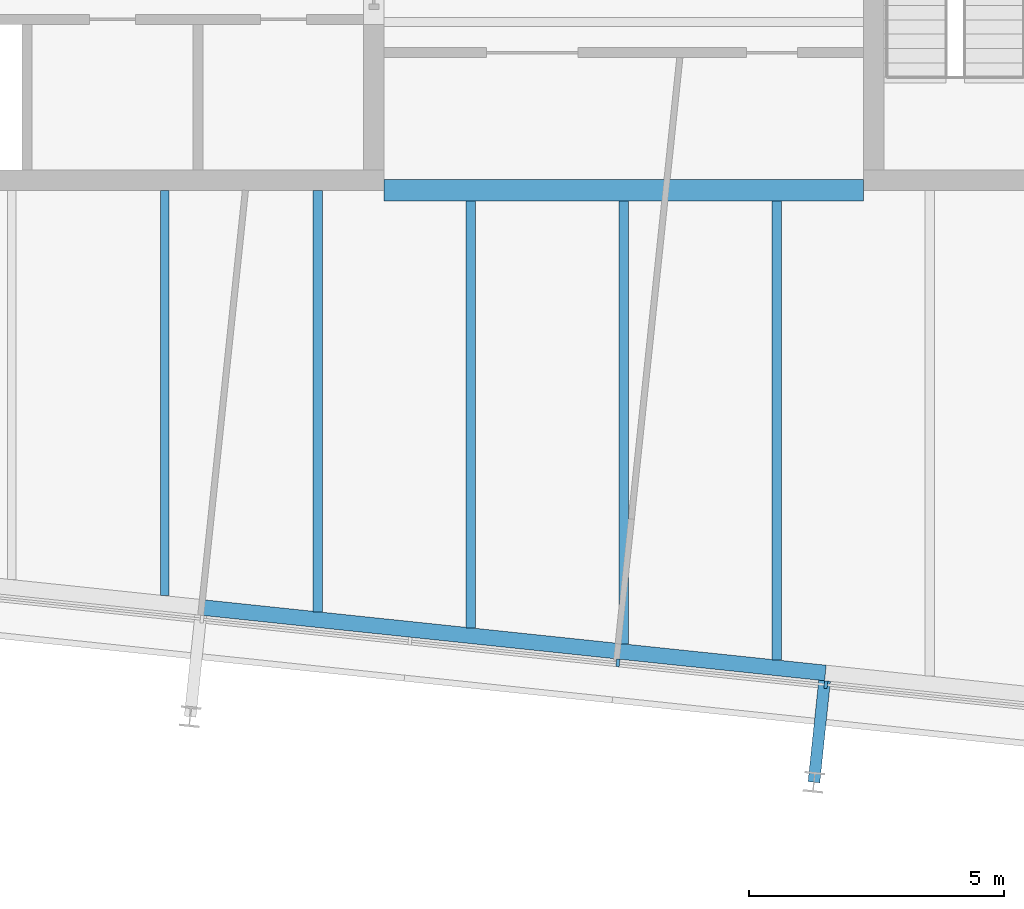
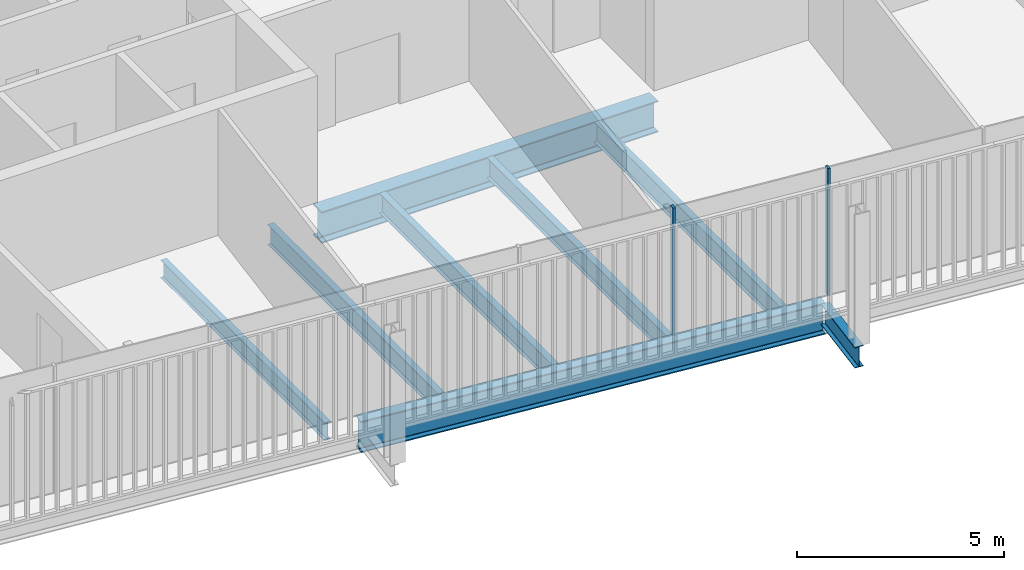
# One storey, part 5 of 20: 8 beams, 2 members, 1 element without a shape of its own.
"""IFC4 building model written with IfcOpenShell, lengths in metres."""

from ifc_helpers import new_model, si_unit, direction, frame, origin, origin_2d, place, context, subcontext, project, spatial, rectangle, i_section, extrude, material, layer, layer_set, material_profile, profile_set, type_object, element, aggregate, save


model = new_model("IFC4")

# Units and contexts
model_context = context("Model", 3, precision=1e-05, world=origin(), true_north=direction((0.0, 1.0)))
body_context = subcontext(model_context, "Body", "Model", "MODEL_VIEW")
ifc_project = project(units=[si_unit("LENGTHUNIT", "METRE"), si_unit("AREAUNIT", "SQUARE_METRE"), si_unit("VOLUMEUNIT", "CUBIC_METRE"), si_unit("PLANEANGLEUNIT", "RADIAN"), si_unit("MASSUNIT", "GRAM", prefix="KILO")], contexts=[model_context])

# Site, building, storey
site_placement = place(None, origin())
site = spatial("IfcSite", under=ifc_project, at=site_placement, CompositionType="ELEMENT")
building_placement = place(site_placement, origin())
building = spatial("IfcBuilding", under=site, at=building_placement, Name="Millrace Tower", CompositionType="ELEMENT")
storey_placement = place(building_placement, frame((0.0, 0.0, 287.699951171875)))
storey = spatial("IfcBuildingStorey", under=building, at=storey_placement, Name="L66", CompositionType="ELEMENT", Elevation=287.699951171875)

# Curtain wall, members
ifc_material_1 = material(Name="Aluminium and glass", Category="aluminium")
ifc_layer = layer(ifc_material_1, 0.14990234375)
ifc_layer_set = layer_set([ifc_layer], Name="Aluminium and glass")
curtain_wall_type = type_object("IfcCurtainWallType", Name="CW-1 office vision curtain wall", PredefinedType="NOTDEFINED", material=ifc_layer_set)
curtain_wall_placement = place(storey_placement, origin())
curtain_wall = element("IfcCurtainWall", 1, at=curtain_wall_placement, inside=storey, type_object=curtain_wall_type, Name="Curtain wall E-F02 L66", PredefinedType="NOTDEFINED")
ifc_material_2 = material(Name="Aluminium", Category="aluminium")
ifc_material_profile_1 = material_profile(ifc_material_2, rectangle(XDim=0.06494140625, YDim=0.14990234375, at=origin_2d()))
ifc_profile_set_1 = profile_set([ifc_material_profile_1], Name="Aluminium")
member_type = type_object("IfcMemberType", Name="CW-1 office vision curtain wall mullion", PredefinedType="MULLION", material=ifc_profile_set_1)
member_1_placement = place(storey_placement, frame((-0.11474609375, -18.567626953125, 0.14013671875), z_axis=(0.0, 0.0, 1.0), x_axis=(0.994521896217, -0.104528455196, 0.0)))
member_1 = element("IfcMember", 2, at=member_1_placement, type_object=member_type, Name="CW1 mullion E-F02.6", PredefinedType="MULLION", context=body_context, shape_type="SweptSolid", body=[
    extrude(rectangle(XDim=0.06494140625, YDim=0.14990234375, at=origin_2d()), origin(), (0.0, 0.0, 1.0), 3.760009765625),
])
member_2_placement = place(storey_placement, frame((3.962890625, -18.99609375, 0.14013671875), z_axis=(0.0, 0.0, 1.0), x_axis=(0.994521896217, -0.104528455196, 0.0)))
member_2 = element("IfcMember", 3, at=member_2_placement, type_object=member_type, Name="CW1 mullion E-F02.7", PredefinedType="MULLION", context=body_context, shape_type="SweptSolid", body=[
    extrude(rectangle(XDim=0.06494140625, YDim=0.14990234375, at=origin_2d()), origin(), (0.0, 0.0, 1.0), 3.760009765625),
])
aggregate(curtain_wall, [member_1, member_2])

# Beams
ifc_material_3 = material(Name="Steel ASTM A992 Grade 50", Category="steel")
ifc_material_profile_2 = material_profile(ifc_material_3, i_section(OverallWidth=0.1650390625, OverallDepth=0.52587890625, WebThickness=0.0087890625, FlangeThickness=0.011474609375, FilletRadius=0.0126953125, at=origin_2d()))
ifc_profile_set_2 = profile_set([ifc_material_profile_2], Name="Steel ASTM A992 Grade 50")
beam_type_1 = type_object("IfcBeamType", Name="Floor beam W21x44", PredefinedType="JOIST", material=ifc_profile_set_2)
beam_1_placement = place(storey_placement, frame((-9.0, -17.249267578125, -0.4228515625), z_axis=(0.0, 1.0, 0.0), x_axis=(-1.0, 0.0, 0.0)))
element("IfcBeam", 4, at=beam_1_placement, inside=storey, type_object=beam_type_1, Name="BM-E-L66-S1-S039", PredefinedType="JOIST", context=body_context, shape_type="SweptSolid", body=[
    extrude(i_section(OverallWidth=0.1650390625, OverallDepth=0.52587890625, WebThickness=0.0087890625, FlangeThickness=0.011474609375, FilletRadius=0.0126953125, at=origin_2d()), origin(), (0.0, 0.0, 1.0), 7.94921875),
])
ifc_material_4 = material(Name="Steel ASTM A992 Grade 50", Category="steel")
ifc_material_profile_3 = material_profile(ifc_material_4, i_section(OverallWidth=0.177978515625, OverallDepth=0.599365234375, WebThickness=0.010009765625, FlangeThickness=0.012939453125, FilletRadius=0.012939453125, at=origin_2d()))
ifc_profile_set_3 = profile_set([ifc_material_profile_3], Name="Steel ASTM A992 Grade 50")
beam_type_2 = type_object("IfcBeamType", Name="Floor beam W24x55", PredefinedType="JOIST", material=ifc_profile_set_3)
beam_2_placement = place(storey_placement, frame((-6.0, -17.564697265625, -0.459716796875), z_axis=(0.0, 1.0, 0.0), x_axis=(-1.0, 0.0, 0.0)))
element("IfcBeam", 5, at=beam_2_placement, inside=storey, type_object=beam_type_2, Name="BM-E-L66-S1-S041", PredefinedType="JOIST", context=body_context, shape_type="SweptSolid", body=[
    extrude(i_section(OverallWidth=0.177978515625, OverallDepth=0.599365234375, WebThickness=0.010009765625, FlangeThickness=0.012939453125, FilletRadius=0.012939453125, at=origin_2d()), origin(), (0.0, 0.0, 1.0), 8.2646484375),
])
beam_3_placement = place(storey_placement, frame((-3.0, -17.8798828125, -0.459716796875), z_axis=(0.0, 1.0, 0.0), x_axis=(-1.0, 0.0, 0.0)))
element("IfcBeam", 6, at=beam_3_placement, inside=storey, type_object=beam_type_2, Name="BM-E-L66-S1-S043", PredefinedType="JOIST", context=body_context, shape_type="SweptSolid", body=[
    extrude(i_section(OverallWidth=0.177978515625, OverallDepth=0.599365234375, WebThickness=0.010009765625, FlangeThickness=0.012939453125, FilletRadius=0.012939453125, at=origin_2d()), origin(), (0.0, 0.0, 1.0), 8.370361328125),
])
beam_4_placement = place(storey_placement, frame((0.0, -18.1953125, -0.459716796875), z_axis=(0.0, 1.0, 0.0), x_axis=(-1.0, 0.0, 0.0)))
element("IfcBeam", 7, at=beam_4_placement, inside=storey, type_object=beam_type_2, Name="BM-E-L66-S1-S045", PredefinedType="JOIST", context=body_context, shape_type="SweptSolid", body=[
    extrude(i_section(OverallWidth=0.177978515625, OverallDepth=0.599365234375, WebThickness=0.010009765625, FlangeThickness=0.012939453125, FilletRadius=0.012939453125, at=origin_2d()), origin(), (0.0, 0.0, 1.0), 8.685791015625),
])
beam_5_placement = place(storey_placement, frame((3.0, -18.510498046875, -0.459716796875), z_axis=(0.0, 1.0, 0.0), x_axis=(-1.0, 0.0, 0.0)))
element("IfcBeam", 8, at=beam_5_placement, inside=storey, type_object=beam_type_2, Name="BM-E-L66-S1-S047", PredefinedType="JOIST", context=body_context, shape_type="SweptSolid", body=[
    extrude(i_section(OverallWidth=0.177978515625, OverallDepth=0.599365234375, WebThickness=0.010009765625, FlangeThickness=0.012939453125, FilletRadius=0.012939453125, at=origin_2d()), origin(), (0.0, 0.0, 1.0), 9.0009765625),
])
ifc_material_5 = material(Name="Steel ASTM A992 Grade 50", Category="steel")
ifc_material_profile_4 = material_profile(ifc_material_5, i_section(OverallWidth=0.419189453125, OverallDepth=0.927001953125, WebThickness=0.019287109375, FlangeThickness=0.031982421875, FilletRadius=0.024169921875, at=origin_2d()))
ifc_profile_set_4 = profile_set([ifc_material_profile_4], Name="Steel ASTM A992 Grade 50")
beam_type_3 = type_object("IfcBeamType", Name="Girder short span W36x231", PredefinedType="BEAM", material=ifc_profile_set_4)
beam_6_placement = place(storey_placement, frame((-4.699951171875, -9.300048828125, -0.62353515625), z_axis=(1.0, 0.0, 0.0), x_axis=(0.0, 1.0, 0.0)))
element("IfcBeam", 9, at=beam_6_placement, inside=storey, type_object=beam_type_3, Name="BM-E-L66-S1-G059", PredefinedType="BEAM", context=body_context, shape_type="SweptSolid", body=[
    extrude(i_section(OverallWidth=0.419189453125, OverallDepth=0.927001953125, WebThickness=0.019287109375, FlangeThickness=0.031982421875, FilletRadius=0.024169921875, at=origin_2d()), origin(), (0.0, 0.0, 1.0), 9.39990234375),
])
ifc_material_6 = material(Name="Steel ASTM A992 Grade 50", Category="steel")
ifc_material_profile_5 = material_profile(ifc_material_6, i_section(OverallWidth=0.23046875, OverallDepth=0.6171875, WebThickness=0.01318359375, FlangeThickness=0.022216796875, FilletRadius=0.012939453125, at=origin_2d()))
ifc_profile_set_5 = profile_set([ifc_material_profile_5], Name="Steel ASTM A992 Grade 50")
beam_type_4 = type_object("IfcBeamType", Name="Link beam W24x94", PredefinedType="BEAM", material=ifc_profile_set_5)
beam_7_placement = place(storey_placement, frame((3.938232421875, -18.918212890625, -0.468505859375), z_axis=(-0.104494148666, -0.99452550138, 0.0), x_axis=(0.99452550138, -0.104494148666, 0.0)))
element("IfcBeam", 10, at=beam_7_placement, inside=storey, type_object=beam_type_4, Name="LNK-E-L66-S1-14", PredefinedType="BEAM", context=body_context, shape_type="SweptSolid", body=[
    extrude(i_section(OverallWidth=0.23046875, OverallDepth=0.6171875, WebThickness=0.01318359375, FlangeThickness=0.022216796875, FilletRadius=0.012939453125, at=origin_2d()), origin(), (0.0, 0.0, 1.0), 2.0),
])
ifc_material_7 = material(Name="Steel ASTM A992 Grade 50", Category="steel")
ifc_material_profile_6 = material_profile(ifc_material_7, i_section(OverallWidth=0.307373046875, OverallDepth=0.927001953125, WebThickness=0.01953125, FlangeThickness=0.031982421875, FilletRadius=0.01904296875, at=origin_2d()))
ifc_profile_set_6 = profile_set([ifc_material_profile_6], Name="Steel ASTM A992 Grade 50")
beam_type_5 = type_object("IfcBeamType", Name="Ring beam medium span W36x194", PredefinedType="SPANDREL", material=ifc_profile_set_6)
beam_8_placement = place(storey_placement, frame((3.954345703125, -18.765380859375, -0.62353515625), z_axis=(-0.994522406476, 0.104523600289, 0.0), x_axis=(-0.104523600289, -0.994522406476, 0.0)))
element("IfcBeam", 11, at=beam_8_placement, inside=storey, type_object=beam_type_5, Name="RNG-E-L66-S1-14", PredefinedType="SPANDREL", context=body_context, shape_type="SweptSolid", body=[
    extrude(i_section(OverallWidth=0.307373046875, OverallDepth=0.927001953125, WebThickness=0.01953125, FlangeThickness=0.031982421875, FilletRadius=0.01904296875, at=origin_2d()), origin(), (0.0, 0.0, 1.0), 12.300048828125),
])

save(model, "model.ifc")
